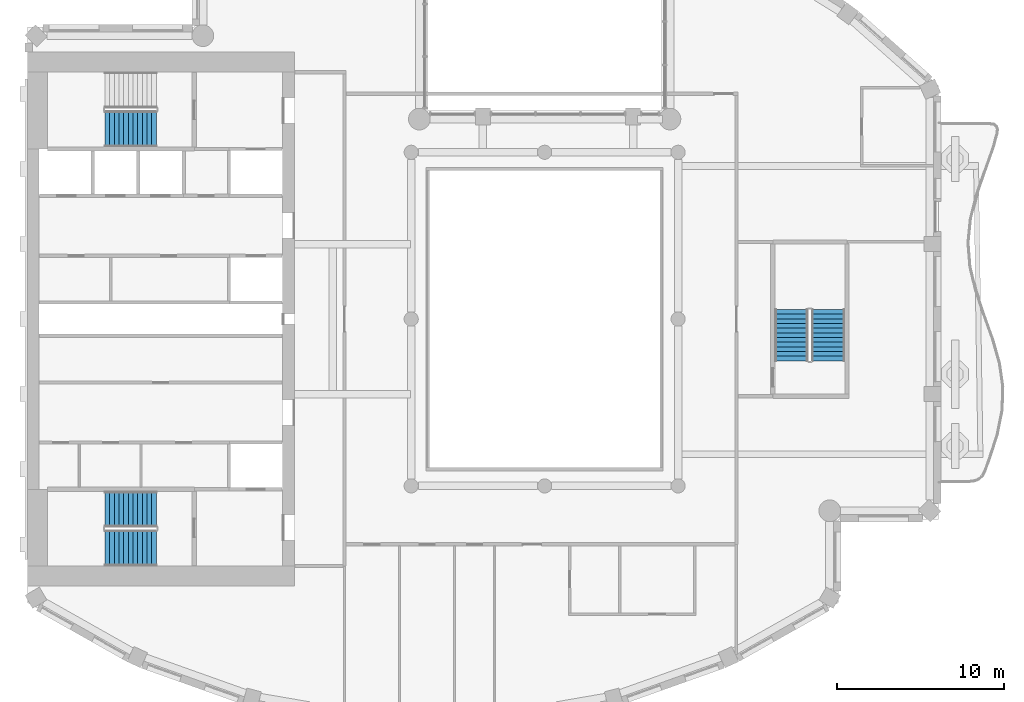
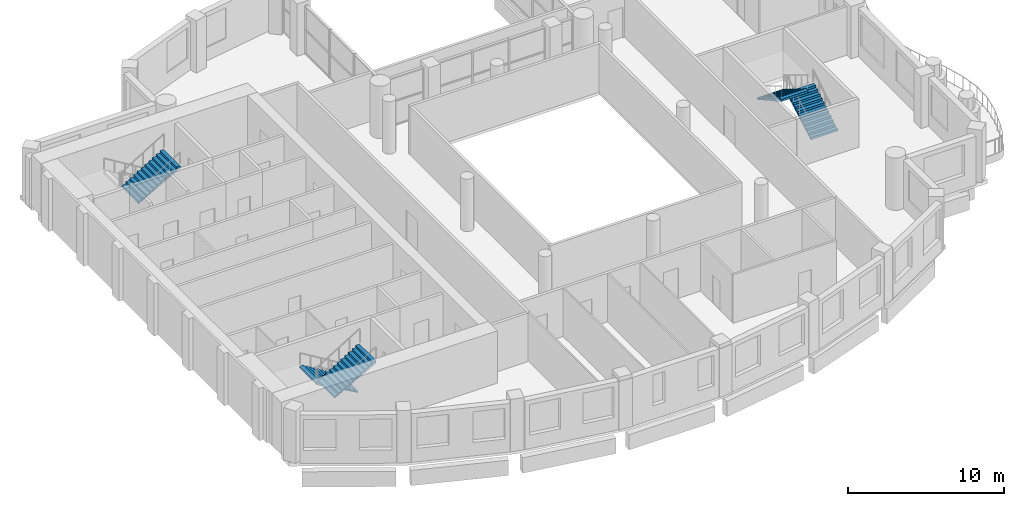
# One storey, part 8 of 14: 5 stair flights, 3 elements without a shape of their own.
"""IFC4 building model written with IfcOpenShell, lengths in metres."""

from ifc_helpers import new_model, si_unit, direction, frame, origin, place, context, subcontext, project, spatial, triangles, material, type_object, element, aggregate, save


model = new_model("IFC4")

# Units and contexts
model_context = context("Model", 3, precision=1e-05, world=origin(), true_north=direction((0.0, 1.0)))
body_context = subcontext(model_context, "Body", "Model", "MODEL_VIEW")
ifc_project = project(units=[si_unit("LENGTHUNIT", "METRE"), si_unit("AREAUNIT", "SQUARE_METRE"), si_unit("VOLUMEUNIT", "CUBIC_METRE"), si_unit("PLANEANGLEUNIT", "RADIAN"), si_unit("MASSUNIT", "GRAM", prefix="KILO")], contexts=[model_context])

# Site, building, storey
site_placement = place(None, origin())
site = spatial("IfcSite", under=ifc_project, at=site_placement, CompositionType="ELEMENT")
building_placement = place(site_placement, origin())
building = spatial("IfcBuilding", under=site, at=building_placement, Name="Cypress Arch Tower", CompositionType="ELEMENT")
storey_placement = place(building_placement, frame((0.0, 0.0, 263.89990234375)))
storey = spatial("IfcBuildingStorey", under=building, at=storey_placement, Name="L59", CompositionType="ELEMENT", Elevation=263.89990234375)

# Stair, stair flights
ifc_material_1 = material(Name="Concrete C40/50", Category="concrete")
stair_type_1 = type_object("IfcStairType", Name="Exit stair ES1708-200", PredefinedType="HALF_TURN_STAIR", material=ifc_material_1)
stair_1_placement = place(storey_placement, origin())
stair_1 = element("IfcStair", 1, at=stair_1_placement, inside=storey, type_object=stair_type_1, Name="L59 Exit stair C", PredefinedType="HALF_TURN_STAIR")
ifc_material_2 = material(Name="Concrete C40/50", Category="concrete")
stair_flight_type_1 = type_object("IfcStairFlightType", Name="Exit stair flight ES1708-200", PredefinedType="STRAIGHT", material=ifc_material_2)
stair_flight_1_placement = place(storey_placement, frame((18.0, -2.5, 0.0), z_axis=(0.0, 0.0, 1.0), x_axis=(0.0, 1.0, 0.0)))
stair_flight_1 = element("IfcStairFlight", 2, at=stair_flight_1_placement, type_object=stair_flight_type_1, Name="C flight 1", NumberOfRisers=12, NumberOfTreads=11, PredefinedType="STRAIGHT", RiserHeight=0.170833333, TreadLength=0.28, context=body_context, shape_type="Tessellation", body=[
    triangles([(0.0, -1.0, 0.0), (0.0, -1.0, 0.1708984375), (0.280029296875, -1.0, 0.1708984375), (0.280029296875, -1.0, 0.341552734375), (0.56005859375, -1.0, 0.341552734375), (0.56005859375, -1.0, 0.512451171875), (0.840087890625, -1.0, 0.512451171875), (0.840087890625, -1.0, 0.683349609375), (1.1201171875, -1.0, 0.683349609375), (1.1201171875, -1.0, 0.854248046875), (1.39990234375, -1.0, 0.854248046875), (1.39990234375, -1.0, 1.02490234375), (1.679931640625, -1.0, 1.02490234375), (1.679931640625, -1.0, 1.19580078125), (1.9599609375, -1.0, 1.19580078125), (1.9599609375, -1.0, 1.36669921875), (2.239990234375, -1.0, 1.36669921875), (2.239990234375, -1.0, 1.53759765625), (2.52001953125, -1.0, 1.53759765625), (2.52001953125, -1.0, 1.708251953125), (2.800048828125, -1.0, 1.708251953125), (2.800048828125, -1.0, 1.879150390625), (3.080078125, -1.0, 1.879150390625), (3.080078125, -1.0, 1.70361328125), (3.080078125, 1.0, 1.70361328125), (3.080078125, 1.0, 1.879150390625), (2.800048828125, 1.0, 1.879150390625), (2.800048828125, 1.0, 1.708251953125), (2.52001953125, 1.0, 1.708251953125), (2.52001953125, 1.0, 1.53759765625), (2.239990234375, 1.0, 1.53759765625), (2.239990234375, 1.0, 1.36669921875), (1.9599609375, 1.0, 1.36669921875), (1.9599609375, 1.0, 1.19580078125), (1.679931640625, 1.0, 1.19580078125), (1.679931640625, 1.0, 1.02490234375), (1.39990234375, 1.0, 1.02490234375), (1.39990234375, 1.0, 0.854248046875), (1.1201171875, 1.0, 0.854248046875), (1.1201171875, 1.0, 0.683349609375), (0.840087890625, 1.0, 0.683349609375), (0.840087890625, 1.0, 0.512451171875), (0.56005859375, 1.0, 0.512451171875), (0.56005859375, 1.0, 0.341552734375), (0.280029296875, 1.0, 0.341552734375), (0.280029296875, 1.0, 0.1708984375), (0.0, 1.0, 0.1708984375), (0.0, 1.0, 0.0), (3.080078125, 0.0, 1.879150390625), (3.080078125, 0.0, 1.70361328125), (2.800048828125, 0.0, 1.879150390625), (2.800048828125, 0.0, 1.708251953125), (2.52001953125, 0.0, 1.708251953125), (2.52001953125, 0.0, 1.53759765625), (2.239990234375, 0.0, 1.53759765625), (2.239990234375, 0.0, 1.36669921875), (1.9599609375, 0.0, 1.36669921875), (1.9599609375, 0.0, 1.19580078125), (1.679931640625, 0.0, 1.19580078125), (1.679931640625, 0.0, 1.02490234375), (1.39990234375, 0.0, 1.02490234375), (1.39990234375, 0.0, 0.854248046875), (1.1201171875, 0.0, 0.854248046875), (1.1201171875, 0.0, 0.683349609375), (0.840087890625, 0.0, 0.683349609375), (0.840087890625, 0.0, 0.512451171875), (0.56005859375, 0.0, 0.512451171875), (0.56005859375, 0.0, 0.341552734375), (0.280029296875, 0.0, 0.341552734375), (0.280029296875, 0.0, 0.1708984375), (0.0, 0.0, 0.1708984375), (0.0, 0.0, 0.0)], [[24, 23, 22], [11, 10, 9], [19, 18, 17], [17, 16, 15], [15, 14, 13], [9, 8, 7], [7, 6, 5], [3, 2, 1], [21, 20, 19], [13, 12, 11], [5, 4, 3], [24, 22, 21], [24, 21, 19], [24, 19, 17], [24, 17, 15], [24, 15, 13], [24, 13, 11], [24, 11, 9], [24, 9, 7], [24, 7, 5], [1, 24, 5], [5, 3, 1], [25, 27, 26], [38, 40, 39], [30, 32, 31], [32, 34, 33], [34, 36, 35], [40, 42, 41], [42, 44, 43], [46, 48, 47], [28, 30, 29], [36, 38, 37], [44, 46, 45], [25, 28, 27], [25, 30, 28], [25, 32, 30], [25, 34, 32], [25, 36, 34], [25, 38, 36], [25, 40, 38], [25, 42, 40], [25, 44, 42], [48, 44, 25], [44, 48, 46], [50, 49, 23], [50, 23, 24], [25, 26, 49], [25, 49, 50], [49, 51, 22], [49, 22, 23], [26, 27, 51], [26, 51, 49], [51, 52, 21], [51, 21, 22], [27, 28, 52], [27, 52, 51], [52, 53, 20], [52, 20, 21], [28, 29, 53], [28, 53, 52], [53, 54, 19], [53, 19, 20], [29, 30, 54], [29, 54, 53], [54, 55, 18], [54, 18, 19], [30, 31, 55], [30, 55, 54], [55, 56, 17], [55, 17, 18], [31, 32, 56], [31, 56, 55], [56, 57, 16], [56, 16, 17], [32, 33, 57], [32, 57, 56], [57, 58, 15], [57, 15, 16], [33, 34, 58], [33, 58, 57], [58, 59, 14], [58, 14, 15], [34, 35, 59], [34, 59, 58], [59, 60, 13], [59, 13, 14], [35, 36, 60], [35, 60, 59], [60, 61, 12], [60, 12, 13], [36, 37, 61], [36, 61, 60], [61, 62, 11], [61, 11, 12], [37, 38, 62], [37, 62, 61], [62, 63, 10], [62, 10, 11], [38, 39, 63], [38, 63, 62], [63, 64, 9], [63, 9, 10], [39, 40, 64], [39, 64, 63], [64, 65, 8], [64, 8, 9], [40, 41, 65], [40, 65, 64], [65, 66, 7], [65, 7, 8], [41, 42, 66], [41, 66, 65], [66, 67, 6], [66, 6, 7], [42, 43, 67], [42, 67, 66], [67, 68, 5], [67, 5, 6], [43, 44, 68], [43, 68, 67], [68, 69, 4], [68, 4, 5], [44, 45, 69], [44, 69, 68], [69, 70, 3], [69, 3, 4], [45, 46, 70], [45, 70, 69], [70, 71, 2], [70, 2, 3], [46, 47, 71], [46, 71, 70], [71, 72, 1], [71, 1, 2], [47, 48, 72], [47, 72, 71], [72, 50, 24], [72, 24, 1], [48, 25, 50], [48, 50, 72]], closed=True),
])
stair_flight_2_placement = place(storey_placement, frame((15.800048828125, 0.580078125, 2.050048828125), z_axis=(0.0, 0.0, 1.0), x_axis=(0.0, -1.0, 0.0)))
stair_flight_2 = element("IfcStairFlight", 3, at=stair_flight_2_placement, type_object=stair_flight_type_1, Name="C flight 2", NumberOfRisers=12, NumberOfTreads=11, PredefinedType="STRAIGHT", RiserHeight=0.170833333, TreadLength=0.28, context=body_context, shape_type="Tessellation", body=[
    triangles([(0.0, -1.0, 0.0), (0.0, -1.0, 0.1708984375), (0.280029296875, -1.0, 0.1708984375), (0.280029296875, -1.0, 0.341552734375), (0.56005859375, -1.0, 0.341552734375), (0.56005859375, -1.0, 0.512451171875), (0.840087890625, -1.0, 0.512451171875), (0.840087890625, -1.0, 0.683349609375), (1.1201171875, -1.0, 0.683349609375), (1.1201171875, -1.0, 0.854248046875), (1.39990234375, -1.0, 0.854248046875), (1.39990234375, -1.0, 1.02490234375), (1.679931640625, -1.0, 1.02490234375), (1.679931640625, -1.0, 1.19580078125), (1.9599609375, -1.0, 1.19580078125), (1.9599609375, -1.0, 1.36669921875), (2.239990234375, -1.0, 1.36669921875), (2.239990234375, -1.0, 1.53759765625), (2.52001953125, -1.0, 1.53759765625), (2.52001953125, -1.0, 1.708251953125), (2.800048828125, -1.0, 1.708251953125), (2.800048828125, -1.0, 1.879150390625), (3.080078125, -1.0, 1.879150390625), (3.080078125, -1.0, 1.70361328125), (3.080078125, 1.0, 1.70361328125), (3.080078125, 1.0, 1.879150390625), (2.800048828125, 1.0, 1.879150390625), (2.800048828125, 1.0, 1.708251953125), (2.52001953125, 1.0, 1.708251953125), (2.52001953125, 1.0, 1.53759765625), (2.239990234375, 1.0, 1.53759765625), (2.239990234375, 1.0, 1.36669921875), (1.9599609375, 1.0, 1.36669921875), (1.9599609375, 1.0, 1.19580078125), (1.679931640625, 1.0, 1.19580078125), (1.679931640625, 1.0, 1.02490234375), (1.39990234375, 1.0, 1.02490234375), (1.39990234375, 1.0, 0.854248046875), (1.1201171875, 1.0, 0.854248046875), (1.1201171875, 1.0, 0.683349609375), (0.840087890625, 1.0, 0.683349609375), (0.840087890625, 1.0, 0.512451171875), (0.56005859375, 1.0, 0.512451171875), (0.56005859375, 1.0, 0.341552734375), (0.280029296875, 1.0, 0.341552734375), (0.280029296875, 1.0, 0.1708984375), (0.0, 1.0, 0.1708984375), (0.0, 1.0, 0.0), (3.080078125, 0.0, 1.879150390625), (3.080078125, 0.0, 1.70361328125), (2.800048828125, 0.0, 1.879150390625), (2.800048828125, 0.0, 1.708251953125), (2.52001953125, 0.0, 1.708251953125), (2.52001953125, 0.0, 1.53759765625), (2.239990234375, 0.0, 1.53759765625), (2.239990234375, 0.0, 1.36669921875), (1.9599609375, 0.0, 1.36669921875), (1.9599609375, 0.0, 1.19580078125), (1.679931640625, 0.0, 1.19580078125), (1.679931640625, 0.0, 1.02490234375), (1.39990234375, 0.0, 1.02490234375), (1.39990234375, 0.0, 0.854248046875), (1.1201171875, 0.0, 0.854248046875), (1.1201171875, 0.0, 0.683349609375), (0.840087890625, 0.0, 0.683349609375), (0.840087890625, 0.0, 0.512451171875), (0.56005859375, 0.0, 0.512451171875), (0.56005859375, 0.0, 0.341552734375), (0.280029296875, 0.0, 0.341552734375), (0.280029296875, 0.0, 0.1708984375), (0.0, 0.0, 0.1708984375), (0.0, 0.0, 0.0)], [[24, 23, 22], [11, 10, 9], [19, 18, 17], [17, 16, 15], [15, 14, 13], [9, 8, 7], [7, 6, 5], [3, 2, 1], [21, 20, 19], [13, 12, 11], [5, 4, 3], [24, 22, 21], [24, 21, 19], [24, 19, 17], [24, 17, 15], [24, 15, 13], [24, 13, 11], [24, 11, 9], [24, 9, 7], [24, 7, 5], [1, 24, 5], [5, 3, 1], [25, 27, 26], [38, 40, 39], [30, 32, 31], [32, 34, 33], [34, 36, 35], [40, 42, 41], [42, 44, 43], [46, 48, 47], [28, 30, 29], [36, 38, 37], [44, 46, 45], [25, 28, 27], [25, 30, 28], [25, 32, 30], [25, 34, 32], [25, 36, 34], [25, 38, 36], [25, 40, 38], [25, 42, 40], [25, 44, 42], [48, 44, 25], [44, 48, 46], [50, 49, 23], [50, 23, 24], [25, 26, 49], [25, 49, 50], [49, 51, 22], [49, 22, 23], [26, 27, 51], [26, 51, 49], [51, 52, 21], [51, 21, 22], [27, 28, 52], [27, 52, 51], [52, 53, 20], [52, 20, 21], [28, 29, 53], [28, 53, 52], [53, 54, 19], [53, 19, 20], [29, 30, 54], [29, 54, 53], [54, 55, 18], [54, 18, 19], [30, 31, 55], [30, 55, 54], [55, 56, 17], [55, 17, 18], [31, 32, 56], [31, 56, 55], [56, 57, 16], [56, 16, 17], [32, 33, 57], [32, 57, 56], [57, 58, 15], [57, 15, 16], [33, 34, 58], [33, 58, 57], [58, 59, 14], [58, 14, 15], [34, 35, 59], [34, 59, 58], [59, 60, 13], [59, 13, 14], [35, 36, 60], [35, 60, 59], [60, 61, 12], [60, 12, 13], [36, 37, 61], [36, 61, 60], [61, 62, 11], [61, 11, 12], [37, 38, 62], [37, 62, 61], [62, 63, 10], [62, 10, 11], [38, 39, 63], [38, 63, 62], [63, 64, 9], [63, 9, 10], [39, 40, 64], [39, 64, 63], [64, 65, 8], [64, 8, 9], [40, 41, 65], [40, 65, 64], [65, 66, 7], [65, 7, 8], [41, 42, 66], [41, 66, 65], [66, 67, 6], [66, 6, 7], [42, 43, 67], [42, 67, 66], [67, 68, 5], [67, 5, 6], [43, 44, 68], [43, 68, 67], [68, 69, 4], [68, 4, 5], [44, 45, 69], [44, 69, 68], [69, 70, 3], [69, 3, 4], [45, 46, 70], [45, 70, 69], [70, 71, 2], [70, 2, 3], [46, 47, 71], [46, 71, 70], [71, 72, 1], [71, 1, 2], [47, 48, 72], [47, 72, 71], [72, 50, 24], [72, 24, 1], [48, 25, 50], [48, 50, 72]], closed=True),
])
aggregate(stair_1, [stair_flight_1, stair_flight_2])

ifc_material_3 = material(Name="Concrete C40/50", Category="concrete")
stair_type_2 = type_object("IfcStairType", Name="Exit stair ES1708-215", PredefinedType="HALF_TURN_STAIR", material=ifc_material_3)
stair_2_placement = place(storey_placement, origin())
stair_2 = element("IfcStair", 4, at=stair_2_placement, inside=storey, type_object=stair_type_2, Name="L59 Exit stair A", PredefinedType="HALF_TURN_STAIR")
ifc_material_4 = material(Name="Concrete C40/50", Category="concrete")
stair_flight_type_2 = type_object("IfcStairFlightType", Name="Exit stair flight ES1708-215", PredefinedType="STRAIGHT", material=ifc_material_4)
stair_flight_3_placement = place(storey_placement, frame((-22.27490234375, -11.39990234375, 0.0), z_axis=(0.0, 0.0, 1.0), x_axis=(-1.0, 0.0, 0.0)))
stair_flight_3 = element("IfcStairFlight", 5, at=stair_flight_3_placement, type_object=stair_flight_type_2, Name="A flight 1", NumberOfRisers=12, NumberOfTreads=11, PredefinedType="STRAIGHT", RiserHeight=0.170833333, TreadLength=0.28, context=body_context, shape_type="Tessellation", body=[
    triangles([(0.0, -1.074951171875, 0.0), (0.000244140625, -1.074951171875, 0.01904296875), (0.000244140625, -1.074951171875, 0.0380859375), (0.00048828125, -1.074951171875, 0.056884765625), (0.00048828125, -1.074951171875, 0.075927734375), (0.00048828125, -1.074951171875, 0.094970703125), (0.00048828125, -1.074951171875, 0.114013671875), (0.000244140625, -1.074951171875, 0.1328125), (0.000244140625, -1.074951171875, 0.15185546875), (0.0, -1.074951171875, 0.1708984375), (0.280029296875, -1.074951171875, 0.1708984375), (0.280029296875, -1.074951171875, 0.341552734375), (0.56005859375, -1.074951171875, 0.341552734375), (0.56005859375, -1.074951171875, 0.512451171875), (0.840087890625, -1.074951171875, 0.512451171875), (0.840087890625, -1.074951171875, 0.683349609375), (1.1201171875, -1.074951171875, 0.683349609375), (1.1201171875, -1.074951171875, 0.854248046875), (1.39990234375, -1.074951171875, 0.854248046875), (1.39990234375, -1.074951171875, 1.02490234375), (1.679931640625, -1.074951171875, 1.02490234375), (1.679931640625, -1.074951171875, 1.19580078125), (1.9599609375, -1.074951171875, 1.19580078125), (1.9599609375, -1.074951171875, 1.36669921875), (2.239990234375, -1.074951171875, 1.36669921875), (2.239990234375, -1.074951171875, 1.53759765625), (2.52001953125, -1.074951171875, 1.53759765625), (2.52001953125, -1.074951171875, 1.708251953125), (2.800048828125, -1.074951171875, 1.708251953125), (2.800048828125, -1.074951171875, 1.879150390625), (3.080078125, -1.074951171875, 1.879150390625), (3.079833984375, -1.074951171875, 1.859619140625), (3.079833984375, -1.074951171875, 1.840087890625), (3.07958984375, -1.074951171875, 1.820556640625), (3.07958984375, -1.074951171875, 1.801025390625), (3.07958984375, -1.074951171875, 1.78173828125), (3.07958984375, -1.074951171875, 1.76220703125), (3.079833984375, -1.074951171875, 1.74267578125), (3.079833984375, -1.074951171875, 1.72314453125), (3.080078125, -1.074951171875, 1.70361328125), (3.080078125, 1.074951171875, 1.70361328125), (3.079833984375, 1.074951171875, 1.72314453125), (3.079833984375, 1.074951171875, 1.74267578125), (3.07958984375, 1.074951171875, 1.76220703125), (3.07958984375, 1.074951171875, 1.78173828125), (3.07958984375, 1.074951171875, 1.801025390625), (3.07958984375, 1.074951171875, 1.820556640625), (3.079833984375, 1.074951171875, 1.840087890625), (3.079833984375, 1.074951171875, 1.859619140625), (3.080078125, 1.074951171875, 1.879150390625), (2.800048828125, 1.074951171875, 1.879150390625), (2.800048828125, 1.074951171875, 1.708251953125), (2.52001953125, 1.074951171875, 1.708251953125), (2.52001953125, 1.074951171875, 1.53759765625), (2.239990234375, 1.074951171875, 1.53759765625), (2.239990234375, 1.074951171875, 1.36669921875), (1.9599609375, 1.074951171875, 1.36669921875), (1.9599609375, 1.074951171875, 1.19580078125), (1.679931640625, 1.074951171875, 1.19580078125), (1.679931640625, 1.074951171875, 1.02490234375), (1.39990234375, 1.074951171875, 1.02490234375), (1.39990234375, 1.074951171875, 0.854248046875), (1.1201171875, 1.074951171875, 0.854248046875), (1.1201171875, 1.074951171875, 0.683349609375), (0.840087890625, 1.074951171875, 0.683349609375), (0.840087890625, 1.074951171875, 0.512451171875), (0.56005859375, 1.074951171875, 0.512451171875), (0.56005859375, 1.074951171875, 0.341552734375), (0.280029296875, 1.074951171875, 0.341552734375), (0.280029296875, 1.074951171875, 0.1708984375), (0.0, 1.074951171875, 0.1708984375), (0.000244140625, 1.074951171875, 0.15185546875), (0.000244140625, 1.074951171875, 0.1328125), (0.00048828125, 1.074951171875, 0.114013671875), (0.00048828125, 1.074951171875, 0.094970703125), (0.00048828125, 1.074951171875, 0.075927734375), (0.00048828125, 1.074951171875, 0.056884765625), (0.000244140625, 1.074951171875, 0.0380859375), (0.000244140625, 1.074951171875, 0.01904296875), (0.0, 1.074951171875, 0.0)], [[40, 39, 30], [39, 38, 30], [38, 37, 30], [37, 36, 30], [36, 35, 30], [35, 34, 30], [34, 33, 30], [33, 32, 30], [32, 31, 30], [19, 18, 17], [27, 26, 25], [25, 24, 23], [23, 22, 21], [17, 16, 15], [15, 14, 13], [10, 9, 11], [9, 8, 11], [8, 7, 11], [7, 6, 11], [6, 5, 11], [5, 4, 11], [4, 3, 11], [3, 2, 11], [2, 1, 11], [29, 28, 27], [21, 20, 19], [13, 12, 11], [40, 30, 29], [40, 29, 27], [40, 27, 25], [40, 25, 23], [40, 23, 21], [40, 21, 19], [40, 19, 17], [40, 17, 15], [40, 15, 13], [1, 40, 13], [13, 11, 1], [41, 51, 42], [42, 51, 43], [43, 51, 44], [44, 51, 45], [45, 51, 46], [46, 51, 47], [47, 51, 48], [48, 51, 49], [49, 51, 50], [62, 64, 63], [54, 56, 55], [56, 58, 57], [58, 60, 59], [64, 66, 65], [66, 68, 67], [71, 70, 72], [72, 70, 73], [73, 70, 74], [74, 70, 75], [75, 70, 76], [76, 70, 77], [77, 70, 78], [78, 70, 79], [79, 70, 80], [52, 54, 53], [60, 62, 61], [68, 70, 69], [41, 52, 51], [41, 54, 52], [41, 56, 54], [41, 58, 56], [41, 60, 58], [41, 62, 60], [41, 64, 62], [41, 66, 64], [41, 68, 66], [80, 68, 41], [68, 80, 70], [41, 42, 39], [41, 39, 40], [42, 43, 38], [42, 38, 39], [43, 44, 37], [43, 37, 38], [44, 45, 36], [44, 36, 37], [45, 46, 35], [45, 35, 36], [46, 47, 34], [46, 34, 35], [47, 48, 33], [47, 33, 34], [48, 49, 32], [48, 32, 33], [49, 50, 31], [49, 31, 32], [50, 51, 30], [50, 30, 31], [51, 52, 29], [51, 29, 30], [52, 53, 28], [52, 28, 29], [53, 54, 27], [53, 27, 28], [54, 55, 26], [54, 26, 27], [55, 56, 25], [55, 25, 26], [56, 57, 24], [56, 24, 25], [57, 58, 23], [57, 23, 24], [58, 59, 22], [58, 22, 23], [59, 60, 21], [59, 21, 22], [60, 61, 20], [60, 20, 21], [61, 62, 19], [61, 19, 20], [62, 63, 18], [62, 18, 19], [63, 64, 17], [63, 17, 18], [64, 65, 16], [64, 16, 17], [65, 66, 15], [65, 15, 16], [66, 67, 14], [66, 14, 15], [67, 68, 13], [67, 13, 14], [68, 69, 12], [68, 12, 13], [69, 70, 11], [69, 11, 12], [70, 71, 10], [70, 10, 11], [71, 72, 9], [71, 9, 10], [72, 73, 8], [72, 8, 9], [73, 74, 7], [73, 7, 8], [74, 75, 6], [74, 6, 7], [75, 76, 5], [75, 5, 6], [76, 77, 4], [76, 4, 5], [77, 78, 3], [77, 3, 4], [78, 79, 2], [78, 2, 3], [79, 80, 1], [79, 1, 2], [80, 41, 40], [80, 40, 1]], closed=True),
])
stair_flight_4_placement = place(storey_placement, frame((-25.35498046875, -13.72509765625, 2.050048828125), z_axis=(0.0, 0.0, 1.0), x_axis=(1.0, 0.0, 0.0)))
stair_flight_4 = element("IfcStairFlight", 6, at=stair_flight_4_placement, type_object=stair_flight_type_2, Name="A flight 2", NumberOfRisers=12, NumberOfTreads=11, PredefinedType="STRAIGHT", RiserHeight=0.170833333, TreadLength=0.28, context=body_context, shape_type="Tessellation", body=[
    triangles([(0.0, -1.074951171875, 0.0), (0.000244140625, -1.074951171875, 0.01904296875), (0.000244140625, -1.074951171875, 0.0380859375), (0.00048828125, -1.074951171875, 0.056884765625), (0.00048828125, -1.074951171875, 0.075927734375), (0.00048828125, -1.074951171875, 0.094970703125), (0.00048828125, -1.074951171875, 0.114013671875), (0.000244140625, -1.074951171875, 0.1328125), (0.000244140625, -1.074951171875, 0.15185546875), (0.0, -1.074951171875, 0.1708984375), (0.280029296875, -1.074951171875, 0.1708984375), (0.280029296875, -1.074951171875, 0.341552734375), (0.56005859375, -1.074951171875, 0.341552734375), (0.56005859375, -1.074951171875, 0.512451171875), (0.840087890625, -1.074951171875, 0.512451171875), (0.840087890625, -1.074951171875, 0.683349609375), (1.1201171875, -1.074951171875, 0.683349609375), (1.1201171875, -1.074951171875, 0.854248046875), (1.39990234375, -1.074951171875, 0.854248046875), (1.39990234375, -1.074951171875, 1.02490234375), (1.679931640625, -1.074951171875, 1.02490234375), (1.679931640625, -1.074951171875, 1.19580078125), (1.9599609375, -1.074951171875, 1.19580078125), (1.9599609375, -1.074951171875, 1.36669921875), (2.239990234375, -1.074951171875, 1.36669921875), (2.239990234375, -1.074951171875, 1.53759765625), (2.52001953125, -1.074951171875, 1.53759765625), (2.52001953125, -1.074951171875, 1.708251953125), (2.800048828125, -1.074951171875, 1.708251953125), (2.800048828125, -1.074951171875, 1.879150390625), (3.080078125, -1.074951171875, 1.879150390625), (3.079833984375, -1.074951171875, 1.859619140625), (3.079833984375, -1.074951171875, 1.840087890625), (3.07958984375, -1.074951171875, 1.820556640625), (3.07958984375, -1.074951171875, 1.801025390625), (3.07958984375, -1.074951171875, 1.78173828125), (3.07958984375, -1.074951171875, 1.76220703125), (3.079833984375, -1.074951171875, 1.74267578125), (3.079833984375, -1.074951171875, 1.72314453125), (3.080078125, -1.074951171875, 1.70361328125), (3.080078125, 1.074951171875, 1.70361328125), (3.079833984375, 1.074951171875, 1.72314453125), (3.079833984375, 1.074951171875, 1.74267578125), (3.07958984375, 1.074951171875, 1.76220703125), (3.07958984375, 1.074951171875, 1.78173828125), (3.07958984375, 1.074951171875, 1.801025390625), (3.07958984375, 1.074951171875, 1.820556640625), (3.079833984375, 1.074951171875, 1.840087890625), (3.079833984375, 1.074951171875, 1.859619140625), (3.080078125, 1.074951171875, 1.879150390625), (2.800048828125, 1.074951171875, 1.879150390625), (2.800048828125, 1.074951171875, 1.708251953125), (2.52001953125, 1.074951171875, 1.708251953125), (2.52001953125, 1.074951171875, 1.53759765625), (2.239990234375, 1.074951171875, 1.53759765625), (2.239990234375, 1.074951171875, 1.36669921875), (1.9599609375, 1.074951171875, 1.36669921875), (1.9599609375, 1.074951171875, 1.19580078125), (1.679931640625, 1.074951171875, 1.19580078125), (1.679931640625, 1.074951171875, 1.02490234375), (1.39990234375, 1.074951171875, 1.02490234375), (1.39990234375, 1.074951171875, 0.854248046875), (1.1201171875, 1.074951171875, 0.854248046875), (1.1201171875, 1.074951171875, 0.683349609375), (0.840087890625, 1.074951171875, 0.683349609375), (0.840087890625, 1.074951171875, 0.512451171875), (0.56005859375, 1.074951171875, 0.512451171875), (0.56005859375, 1.074951171875, 0.341552734375), (0.280029296875, 1.074951171875, 0.341552734375), (0.280029296875, 1.074951171875, 0.1708984375), (0.0, 1.074951171875, 0.1708984375), (0.000244140625, 1.074951171875, 0.15185546875), (0.000244140625, 1.074951171875, 0.1328125), (0.00048828125, 1.074951171875, 0.114013671875), (0.00048828125, 1.074951171875, 0.094970703125), (0.00048828125, 1.074951171875, 0.075927734375), (0.00048828125, 1.074951171875, 0.056884765625), (0.000244140625, 1.074951171875, 0.0380859375), (0.000244140625, 1.074951171875, 0.01904296875), (0.0, 1.074951171875, 0.0)], [[40, 39, 30], [39, 38, 30], [38, 37, 30], [37, 36, 30], [36, 35, 30], [35, 34, 30], [34, 33, 30], [33, 32, 30], [32, 31, 30], [19, 18, 17], [27, 26, 25], [25, 24, 23], [23, 22, 21], [17, 16, 15], [15, 14, 13], [10, 9, 11], [9, 8, 11], [8, 7, 11], [7, 6, 11], [6, 5, 11], [5, 4, 11], [4, 3, 11], [3, 2, 11], [2, 1, 11], [29, 28, 27], [21, 20, 19], [13, 12, 11], [40, 30, 29], [40, 29, 27], [40, 27, 25], [40, 25, 23], [40, 23, 21], [40, 21, 19], [40, 19, 17], [40, 17, 15], [40, 15, 13], [1, 40, 13], [13, 11, 1], [41, 51, 42], [42, 51, 43], [43, 51, 44], [44, 51, 45], [45, 51, 46], [46, 51, 47], [47, 51, 48], [48, 51, 49], [49, 51, 50], [62, 64, 63], [54, 56, 55], [56, 58, 57], [58, 60, 59], [64, 66, 65], [66, 68, 67], [71, 70, 72], [72, 70, 73], [73, 70, 74], [74, 70, 75], [75, 70, 76], [76, 70, 77], [77, 70, 78], [78, 70, 79], [79, 70, 80], [52, 54, 53], [60, 62, 61], [68, 70, 69], [41, 52, 51], [41, 54, 52], [41, 56, 54], [41, 58, 56], [41, 60, 58], [41, 62, 60], [41, 64, 62], [41, 66, 64], [41, 68, 66], [80, 68, 41], [68, 80, 70], [41, 42, 39], [41, 39, 40], [42, 43, 38], [42, 38, 39], [43, 44, 37], [43, 37, 38], [44, 45, 36], [44, 36, 37], [45, 46, 35], [45, 35, 36], [46, 47, 34], [46, 34, 35], [47, 48, 33], [47, 33, 34], [48, 49, 32], [48, 32, 33], [49, 50, 31], [49, 31, 32], [50, 51, 30], [50, 30, 31], [51, 52, 29], [51, 29, 30], [52, 53, 28], [52, 28, 29], [53, 54, 27], [53, 27, 28], [54, 55, 26], [54, 26, 27], [55, 56, 25], [55, 25, 26], [56, 57, 24], [56, 24, 25], [57, 58, 23], [57, 23, 24], [58, 59, 22], [58, 22, 23], [59, 60, 21], [59, 21, 22], [60, 61, 20], [60, 20, 21], [61, 62, 19], [61, 19, 20], [62, 63, 18], [62, 18, 19], [63, 64, 17], [63, 17, 18], [64, 65, 16], [64, 16, 17], [65, 66, 15], [65, 15, 16], [66, 67, 14], [66, 14, 15], [67, 68, 13], [67, 13, 14], [68, 69, 12], [68, 12, 13], [69, 70, 11], [69, 11, 12], [70, 71, 10], [70, 10, 11], [71, 72, 9], [71, 9, 10], [72, 73, 8], [72, 8, 9], [73, 74, 7], [73, 7, 8], [74, 75, 6], [74, 6, 7], [75, 76, 5], [75, 5, 6], [76, 77, 4], [76, 4, 5], [77, 78, 3], [77, 3, 4], [78, 79, 2], [78, 2, 3], [79, 80, 1], [79, 1, 2], [80, 41, 40], [80, 40, 1]], closed=True),
])
aggregate(stair_2, [stair_flight_3, stair_flight_4])

# Stair, stair flight
stair_3_placement = place(storey_placement, origin())
stair_3 = element("IfcStair", 7, at=stair_3_placement, inside=storey, type_object=stair_type_2, Name="L59 Exit stair B", PredefinedType="HALF_TURN_STAIR")
stair_flight_5_placement = place(storey_placement, frame((-25.35498046875, 11.39990234375, 2.050048828125), z_axis=(0.0, 0.0, 1.0), x_axis=(1.0, 0.0, 0.0)))
stair_flight_5 = element("IfcStairFlight", 8, at=stair_flight_5_placement, type_object=stair_flight_type_2, Name="B flight 2", NumberOfRisers=12, NumberOfTreads=11, PredefinedType="STRAIGHT", RiserHeight=0.170833333, TreadLength=0.28, context=body_context, shape_type="Tessellation", body=[
    triangles([(0.0, -1.074951171875, 0.0), (0.000244140625, -1.074951171875, 0.01904296875), (0.000244140625, -1.074951171875, 0.0380859375), (0.00048828125, -1.074951171875, 0.056884765625), (0.00048828125, -1.074951171875, 0.075927734375), (0.00048828125, -1.074951171875, 0.094970703125), (0.00048828125, -1.074951171875, 0.114013671875), (0.000244140625, -1.074951171875, 0.1328125), (0.000244140625, -1.074951171875, 0.15185546875), (0.0, -1.074951171875, 0.1708984375), (0.280029296875, -1.074951171875, 0.1708984375), (0.280029296875, -1.074951171875, 0.341552734375), (0.56005859375, -1.074951171875, 0.341552734375), (0.56005859375, -1.074951171875, 0.512451171875), (0.840087890625, -1.074951171875, 0.512451171875), (0.840087890625, -1.074951171875, 0.683349609375), (1.1201171875, -1.074951171875, 0.683349609375), (1.1201171875, -1.074951171875, 0.854248046875), (1.39990234375, -1.074951171875, 0.854248046875), (1.39990234375, -1.074951171875, 1.02490234375), (1.679931640625, -1.074951171875, 1.02490234375), (1.679931640625, -1.074951171875, 1.19580078125), (1.9599609375, -1.074951171875, 1.19580078125), (1.9599609375, -1.074951171875, 1.36669921875), (2.239990234375, -1.074951171875, 1.36669921875), (2.239990234375, -1.074951171875, 1.53759765625), (2.52001953125, -1.074951171875, 1.53759765625), (2.52001953125, -1.074951171875, 1.708251953125), (2.800048828125, -1.074951171875, 1.708251953125), (2.800048828125, -1.074951171875, 1.879150390625), (3.080078125, -1.074951171875, 1.879150390625), (3.079833984375, -1.074951171875, 1.859619140625), (3.079833984375, -1.074951171875, 1.840087890625), (3.07958984375, -1.074951171875, 1.820556640625), (3.07958984375, -1.074951171875, 1.801025390625), (3.07958984375, -1.074951171875, 1.78173828125), (3.07958984375, -1.074951171875, 1.76220703125), (3.079833984375, -1.074951171875, 1.74267578125), (3.079833984375, -1.074951171875, 1.72314453125), (3.080078125, -1.074951171875, 1.70361328125), (3.080078125, 1.074951171875, 1.70361328125), (3.079833984375, 1.074951171875, 1.72314453125), (3.079833984375, 1.074951171875, 1.74267578125), (3.07958984375, 1.074951171875, 1.76220703125), (3.07958984375, 1.074951171875, 1.78173828125), (3.07958984375, 1.074951171875, 1.801025390625), (3.07958984375, 1.074951171875, 1.820556640625), (3.079833984375, 1.074951171875, 1.840087890625), (3.079833984375, 1.074951171875, 1.859619140625), (3.080078125, 1.074951171875, 1.879150390625), (2.800048828125, 1.074951171875, 1.879150390625), (2.800048828125, 1.074951171875, 1.708251953125), (2.52001953125, 1.074951171875, 1.708251953125), (2.52001953125, 1.074951171875, 1.53759765625), (2.239990234375, 1.074951171875, 1.53759765625), (2.239990234375, 1.074951171875, 1.36669921875), (1.9599609375, 1.074951171875, 1.36669921875), (1.9599609375, 1.074951171875, 1.19580078125), (1.679931640625, 1.074951171875, 1.19580078125), (1.679931640625, 1.074951171875, 1.02490234375), (1.39990234375, 1.074951171875, 1.02490234375), (1.39990234375, 1.074951171875, 0.854248046875), (1.1201171875, 1.074951171875, 0.854248046875), (1.1201171875, 1.074951171875, 0.683349609375), (0.840087890625, 1.074951171875, 0.683349609375), (0.840087890625, 1.074951171875, 0.512451171875), (0.56005859375, 1.074951171875, 0.512451171875), (0.56005859375, 1.074951171875, 0.341552734375), (0.280029296875, 1.074951171875, 0.341552734375), (0.280029296875, 1.074951171875, 0.1708984375), (0.0, 1.074951171875, 0.1708984375), (0.000244140625, 1.074951171875, 0.15185546875), (0.000244140625, 1.074951171875, 0.1328125), (0.00048828125, 1.074951171875, 0.114013671875), (0.00048828125, 1.074951171875, 0.094970703125), (0.00048828125, 1.074951171875, 0.075927734375), (0.00048828125, 1.074951171875, 0.056884765625), (0.000244140625, 1.074951171875, 0.0380859375), (0.000244140625, 1.074951171875, 0.01904296875), (0.0, 1.074951171875, 0.0)], [[40, 39, 30], [39, 38, 30], [38, 37, 30], [37, 36, 30], [36, 35, 30], [35, 34, 30], [34, 33, 30], [33, 32, 30], [32, 31, 30], [19, 18, 17], [27, 26, 25], [25, 24, 23], [23, 22, 21], [17, 16, 15], [15, 14, 13], [10, 9, 11], [9, 8, 11], [8, 7, 11], [7, 6, 11], [6, 5, 11], [5, 4, 11], [4, 3, 11], [3, 2, 11], [2, 1, 11], [29, 28, 27], [21, 20, 19], [13, 12, 11], [40, 30, 29], [40, 29, 27], [40, 27, 25], [40, 25, 23], [40, 23, 21], [40, 21, 19], [40, 19, 17], [40, 17, 15], [40, 15, 13], [1, 40, 13], [13, 11, 1], [41, 51, 42], [42, 51, 43], [43, 51, 44], [44, 51, 45], [45, 51, 46], [46, 51, 47], [47, 51, 48], [48, 51, 49], [49, 51, 50], [62, 64, 63], [54, 56, 55], [56, 58, 57], [58, 60, 59], [64, 66, 65], [66, 68, 67], [71, 70, 72], [72, 70, 73], [73, 70, 74], [74, 70, 75], [75, 70, 76], [76, 70, 77], [77, 70, 78], [78, 70, 79], [79, 70, 80], [52, 54, 53], [60, 62, 61], [68, 70, 69], [41, 52, 51], [41, 54, 52], [41, 56, 54], [41, 58, 56], [41, 60, 58], [41, 62, 60], [41, 64, 62], [41, 66, 64], [41, 68, 66], [80, 68, 41], [68, 80, 70], [41, 42, 39], [41, 39, 40], [42, 43, 38], [42, 38, 39], [43, 44, 37], [43, 37, 38], [44, 45, 36], [44, 36, 37], [45, 46, 35], [45, 35, 36], [46, 47, 34], [46, 34, 35], [47, 48, 33], [47, 33, 34], [48, 49, 32], [48, 32, 33], [49, 50, 31], [49, 31, 32], [50, 51, 30], [50, 30, 31], [51, 52, 29], [51, 29, 30], [52, 53, 28], [52, 28, 29], [53, 54, 27], [53, 27, 28], [54, 55, 26], [54, 26, 27], [55, 56, 25], [55, 25, 26], [56, 57, 24], [56, 24, 25], [57, 58, 23], [57, 23, 24], [58, 59, 22], [58, 22, 23], [59, 60, 21], [59, 21, 22], [60, 61, 20], [60, 20, 21], [61, 62, 19], [61, 19, 20], [62, 63, 18], [62, 18, 19], [63, 64, 17], [63, 17, 18], [64, 65, 16], [64, 16, 17], [65, 66, 15], [65, 15, 16], [66, 67, 14], [66, 14, 15], [67, 68, 13], [67, 13, 14], [68, 69, 12], [68, 12, 13], [69, 70, 11], [69, 11, 12], [70, 71, 10], [70, 10, 11], [71, 72, 9], [71, 9, 10], [72, 73, 8], [72, 8, 9], [73, 74, 7], [73, 7, 8], [74, 75, 6], [74, 6, 7], [75, 76, 5], [75, 5, 6], [76, 77, 4], [76, 4, 5], [77, 78, 3], [77, 3, 4], [78, 79, 2], [78, 2, 3], [79, 80, 1], [79, 1, 2], [80, 41, 40], [80, 40, 1]], closed=True),
])
aggregate(stair_3, [stair_flight_5])

save(model, "model.ifc")
